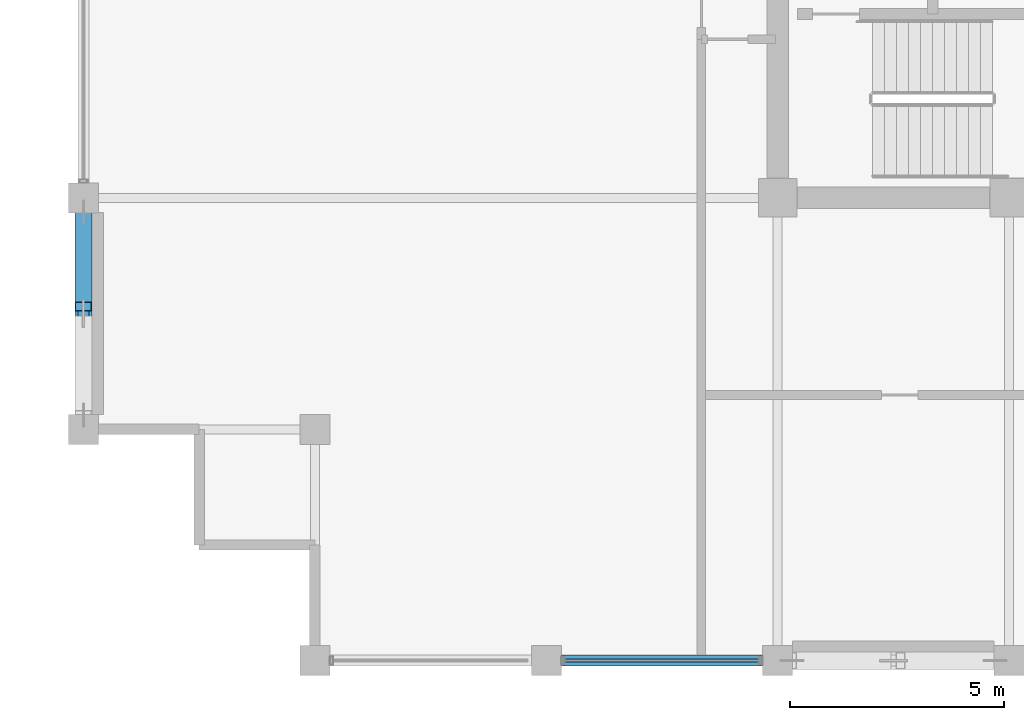
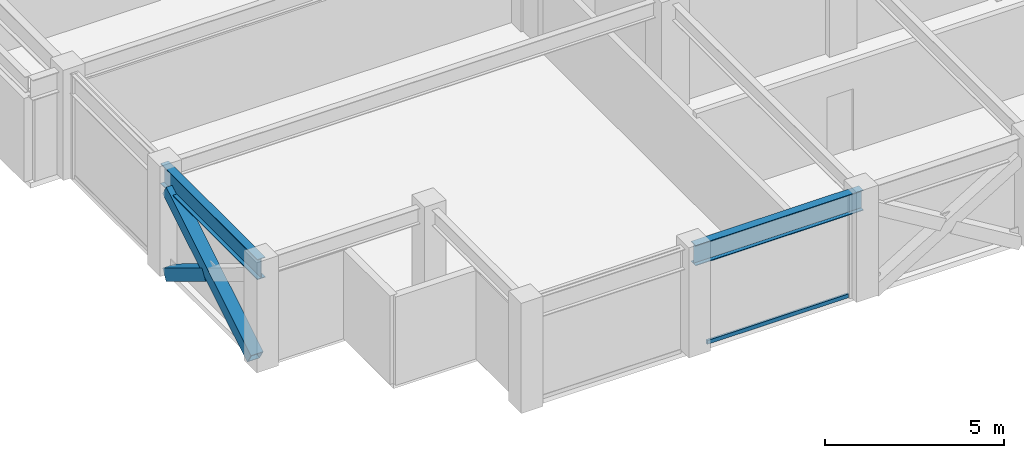
# One storey, part 3 of 29: 3 members, 2 beams, 1 element without a shape of its own.
"""IFC4 building model written with IfcOpenShell, lengths in metres."""

import ifcopenshell
import ifcopenshell.guid

model = None  # the IFC model being written
_history = None  # IfcOwnerHistory: only IFC2X3 demands one
_inside = {}  # id of a spatial element -> (the spatial element, [elements in it])
_under = {}  # id of a project, library or spatial element -> (it, [spatial elements below it])
_declared = {}  # id of a project -> (the project, [libraries it declares])
_typed = {}  # id of a type object -> (the type object, [elements of that type])
_made_of = {}  # id of a material, layer set ... -> (it, [elements and type objects made of it])


def new_model(schema):
    """Start an empty IFC model of exactly this schema.

    Asked for "IFC4X3", IfcOpenShell would pick the latest addendum, in which some entities
    have other attributes; the version numbers below select the first issue.
    IFC2X3 requires an IfcOwnerHistory on every rooted entity: one is made here for all.
    """
    global model, _history
    if schema == "IFC4X3":
        model = ifcopenshell.file(schema_version=(4, 3, 0, 0))
    else:
        model = ifcopenshell.file(schema=schema)
    _inside.clear()
    _under.clear()
    _declared.clear()
    _typed.clear()
    _made_of.clear()
    _history = None
    if model.schema == "IFC2X3":
        org = make("IfcOrganization", Name="unknown")
        user = make(
            "IfcPersonAndOrganization",
            ThePerson=make("IfcPerson", FamilyName="unknown"),
            TheOrganization=org,
        )
        app = make(
            "IfcApplication",
            ApplicationDeveloper=org,
            Version="unknown",
            ApplicationFullName="unknown",
            ApplicationIdentifier="unknown",
        )
        _history = make(
            "IfcOwnerHistory",
            OwningUser=user,
            OwningApplication=app,
            ChangeAction="ADDED",
            CreationDate=0,
        )
    return model


def make(cls, **values):
    """One entity of the class cls with the attributes given. An attribute that is None is left unset."""
    return model.create_entity(
        cls, **{name: value for name, value in values.items() if value is not None}
    )


def rooted(cls, **values):
    """An entity with a GlobalId (a new one), such as an element, a storey or a relation."""
    return make(cls, GlobalId=ifcopenshell.guid.new(), OwnerHistory=_history, **values)


def si_unit(unit_type, name, prefix=None):
    """IfcSIUnit, for example si_unit("LENGTHUNIT", "METRE", prefix="MILLI")."""
    return make("IfcSIUnit", UnitType=unit_type, Prefix=prefix, Name=name)


def assignment(units):
    """IfcUnitAssignment: the units of a project."""
    return None if units is None else make("IfcUnitAssignment", Units=units)


def point(xyz):
    """IfcCartesianPoint."""
    return None if xyz is None else make("IfcCartesianPoint", Coordinates=xyz)


def direction(xyz):
    """IfcDirection."""
    return None if xyz is None else make("IfcDirection", DirectionRatios=xyz)


def frame(location, z_axis=None, x_axis=None):
    """IfcAxis2Placement3D, a coordinate frame: its origin and axes. An axis left out is left unset."""
    return make(
        "IfcAxis2Placement3D",
        Location=point(location),
        Axis=direction(z_axis),
        RefDirection=direction(x_axis),
    )


def frame_2d(location, x_axis=None):
    """IfcAxis2Placement2D, a coordinate frame in the plane: its origin and x axis."""
    return make(
        "IfcAxis2Placement2D", Location=point(location), RefDirection=direction(x_axis)
    )


def origin():
    """The frame at (0, 0, 0) with its axes left unset."""
    return frame((0.0, 0.0, 0.0))


def origin_2d():
    """The frame at (0, 0) in the plane with its x axis left unset."""
    return frame_2d((0.0, 0.0))


def place(relative_to, where):
    """IfcLocalPlacement: puts the frame where relative to a parent placement (None: the world)."""
    return make(
        "IfcLocalPlacement", PlacementRelTo=relative_to, RelativePlacement=where
    )


def context(
    kind, dimensions, precision=None, world=None, true_north=None, identifier=None
):
    """IfcGeometricRepresentationContext, for example the 3D "Model" context."""
    return make(
        "IfcGeometricRepresentationContext",
        ContextIdentifier=identifier,
        ContextType=kind,
        CoordinateSpaceDimension=dimensions,
        Precision=precision,
        WorldCoordinateSystem=world,
        TrueNorth=true_north,
    )


def subcontext(parent, identifier, kind, view, scale=None):
    """IfcGeometricRepresentationSubContext, for example "Body" below "Model"."""
    return make(
        "IfcGeometricRepresentationSubContext",
        ContextIdentifier=identifier,
        ContextType=kind,
        ParentContext=parent,
        TargetScale=scale,
        TargetView=view,
    )


def project(units=None, contexts=None):
    """IfcProject with its units and contexts."""
    return rooted(
        "IfcProject",
        Name="project",
        RepresentationContexts=contexts,
        UnitsInContext=assignment(units),
    )


def spatial(cls, under=None, at=None, **own):
    """A site, building, storey or space (cls), placed at a placement, below another one or the project."""
    s = rooted(cls, ObjectPlacement=at, **own)
    if under is not None:
        _under.setdefault(under.id(), (under, []))[1].append(s)
    return s


def profile(cls, at=None, kind="AREA", **sizes):
    """A parametric profile (cls). Its sizes go by their IFC names, for example OverallWidth=200.0."""
    return make(cls, ProfileType=kind, Position=at, **sizes)


def hollow_rectangle(**sizes):
    """IfcRectangleHollowProfileDef."""
    return profile("IfcRectangleHollowProfileDef", **sizes)


def i_section(**sizes):
    """IfcIShapeProfileDef."""
    return profile("IfcIShapeProfileDef", **sizes)


def extrude(swept, where, along, depth):
    """IfcExtrudedAreaSolid: the profile swept, set in the frame where, extruded along a direction by depth."""
    return make(
        "IfcExtrudedAreaSolid",
        SweptArea=swept,
        Position=where,
        ExtrudedDirection=direction(along),
        Depth=depth,
    )


def shape(context_of_items, identifier, shape_type, items):
    """IfcShapeRepresentation: the items that make up one representation, for example the "Body"."""
    return make(
        "IfcShapeRepresentation",
        ContextOfItems=context_of_items,
        RepresentationIdentifier=identifier,
        RepresentationType=shape_type,
        Items=items,
    )


def material(Name=None, Category=None):
    """IfcMaterial."""
    return make("IfcMaterial", Name=Name, Category=Category)


def layer(
    of_material, thickness, ventilated=None, Name=None, Category=None, Priority=None
):
    """IfcMaterialLayer: one layer of a wall or slab, of a material (None: an air gap)."""
    return make(
        "IfcMaterialLayer",
        Material=of_material,
        LayerThickness=thickness,
        IsVentilated=ventilated,
        Name=Name,
        Category=Category,
        Priority=Priority,
    )


def layer_set(layers, Name=None):
    """IfcMaterialLayerSet."""
    return make("IfcMaterialLayerSet", MaterialLayers=layers, LayerSetName=Name)


def material_profile(
    of_material, cross_section, Name=None, Category=None, Priority=None
):
    """IfcMaterialProfile: a cross section and its material."""
    return make(
        "IfcMaterialProfile",
        Name=Name,
        Material=of_material,
        Profile=cross_section,
        Priority=Priority,
        Category=Category,
    )


def profile_set(profiles, Name=None, composite=None):
    """IfcMaterialProfileSet."""
    return make(
        "IfcMaterialProfileSet",
        Name=Name,
        MaterialProfiles=profiles,
        CompositeProfile=composite,
    )


def made_of(thing, what):
    """Note that an element or type object is made of a material, layer set ...; save() writes the relation."""
    if what is not None:
        _made_of.setdefault(what.id(), (what, []))[1].append(thing)
    return thing


def type_object(cls, material=None, **own):
    """A type object (cls), such as IfcWallType, which elements share."""
    return made_of(rooted(cls, **own), material)


def element(
    cls,
    number,
    at=None,
    inside=None,
    cuts=None,
    type_object=None,
    material=None,
    context=None,
    identifier="Body",
    shape_type=None,
    held_by="IfcProductDefinitionShape",
    body=None,
    shapes=None,
    **own,
):
    """One element of the class cls, such as IfcWall. Its Tag is "e" and its number.

    at: its placement. inside: the storey or other place that contains it. cuts: it is an
    opening in that element (IfcRelVoidsElement). A single representation is given by context,
    identifier, shape_type and body (its items); several are given by shapes. held_by: the class
    of the entity that holds the representations. save() writes the other relations.
    """
    e = rooted(cls, Tag="e%d" % number, ObjectPlacement=at, **own)
    if body is not None:
        shapes = [shape(context, identifier, shape_type, body)]
    if shapes is not None:
        e.Representation = make(held_by, Representations=shapes)
    if inside is not None:
        _inside.setdefault(inside.id(), (inside, []))[1].append(e)
    if cuts is not None:
        rooted(
            "IfcRelVoidsElement", RelatingBuildingElement=cuts, RelatedOpeningElement=e
        )
    if type_object is not None:
        _typed.setdefault(type_object.id(), (type_object, []))[1].append(e)
    return made_of(e, material)


def aggregate(whole, parts):
    """IfcRelAggregates: a whole, such as a stair, and the parts it consists of."""
    return rooted("IfcRelAggregates", RelatingObject=whole, RelatedObjects=parts)


def save(model, path):
    """Write the relations noted so far, then the file.

    IfcRelAggregates (storeys below a building ...), IfcRelContainedInSpatialStructure (elements
    in a storey), IfcRelDefinesByType, IfcRelAssociatesMaterial and IfcRelDeclares: one each for
    every whole, place, type object, material and project.
    """
    for whole, parts in _under.values():
        aggregate(whole, parts)
    for where, things in _inside.values():
        rooted(
            "IfcRelContainedInSpatialStructure",
            RelatedElements=things,
            RelatingStructure=where,
        )
    for kind, things in _typed.values():
        rooted("IfcRelDefinesByType", RelatedObjects=things, RelatingType=kind)
    for what, things in _made_of.values():
        rooted("IfcRelAssociatesMaterial", RelatedObjects=things, RelatingMaterial=what)
    for by, libraries in _declared.values():
        rooted("IfcRelDeclares", RelatingContext=by, RelatedDefinitions=libraries)
    model.write(path)


model = new_model("IFC4")

# Units and contexts
model_context = context("Model", 3, precision=1e-05, world=origin(), true_north=direction((0.0, 1.0)))
body_context = subcontext(model_context, "Body", "Model", "MODEL_VIEW")
ifc_project = project(units=[si_unit("LENGTHUNIT", "METRE"), si_unit("AREAUNIT", "SQUARE_METRE"), si_unit("VOLUMEUNIT", "CUBIC_METRE"), si_unit("PLANEANGLEUNIT", "RADIAN"), si_unit("MASSUNIT", "GRAM", prefix="KILO")], contexts=[model_context])

# Site, building, storey
site_placement = place(None, origin())
site = spatial("IfcSite", under=ifc_project, at=site_placement, CompositionType="ELEMENT")
building_placement = place(site_placement, origin())
building = spatial("IfcBuilding", under=site, at=building_placement, Name="Surkhivell Harbour Commons", CompositionType="ELEMENT")
storey_placement = place(building_placement, frame((0.0, 0.0, 273.75)))
storey = spatial("IfcBuildingStorey", under=building, at=storey_placement, Name="L71", CompositionType="ELEMENT", Elevation=273.75)

# Beams
ifc_material_1 = material(Name="Steel S355", Category="steel")
ifc_material_profile_1 = material_profile(ifc_material_1, i_section(OverallWidth=0.256103515625, OverallDepth=0.693115234375, WebThickness=0.014404296875, FlangeThickness=0.023681640625, at=origin_2d()), Name="UB686x254x170")
ifc_profile_set_1 = profile_set([ifc_material_profile_1], Name="Steel S355")
beam_type = type_object("IfcBeamType", Name="BM-SPN-686", PredefinedType="SPANDREL", material=ifc_profile_set_1)
for number, where, z_axis, x_axis, name in (
    (1, (-27.0, -16.199951171875, 3.223388671875), (0.0, 1.0, 0.0), (-1.0, 0.0, 0.0), "L71 Tube Spandrel (-27.0,-16.2)"),
    (2, (-16.199951171875, -21.60009765625, 3.223388671875), (1.0, 0.0, 0.0), (0.0, 1.0, 0.0), "L71 Tube Spandrel (-16.2,-21.6)"),
):
    element("IfcBeam", number, at=place(storey_placement, frame(where, z_axis=z_axis, x_axis=x_axis)), inside=storey, type_object=beam_type, Name=name, PredefinedType="SPANDREL", context=body_context, shape_type="SweptSolid", body=[
        extrude(i_section(OverallWidth=0.256103515625, OverallDepth=0.693115234375, WebThickness=0.014404296875, FlangeThickness=0.023681640625, at=origin_2d()), origin(), (0.0, 0.0, 1.0), 5.39990234375),
    ])

# Curtain wall, member
ifc_material_2 = material(Name="Anodised pale-metal aluminium and insulated glazing", Category="aluminium")
ifc_layer = layer(ifc_material_2, 0.175048828125)
ifc_layer_set = layer_set([ifc_layer], Name="Anodised pale-metal aluminium and insulated glazing")
curtain_wall_type = type_object("IfcCurtainWallType", Name="CW-SYS-Z4", PredefinedType="NOTDEFINED", material=ifc_layer_set)
curtain_wall_placement = place(storey_placement, origin())
curtain_wall = element("IfcCurtainWall", 3, at=curtain_wall_placement, inside=storey, type_object=curtain_wall_type, Name="L71 Curtain Wall CW-L71-E00S1", PredefinedType="NOTDEFINED")
ifc_material_3 = material(Name="Champagne anodised aluminium alloy 6063-T6", Category="aluminium")
ifc_material_profile_2 = material_profile(ifc_material_3, hollow_rectangle(XDim=0.070068359375, YDim=0.1298828125, WallThickness=0.00341796875, at=origin_2d()), Name="ALU-TRAN-70x130")
ifc_profile_set_2 = profile_set([ifc_material_profile_2], Name="Champagne anodised aluminium alloy 6063-T6")
member_type_1 = type_object("IfcMemberType", Name="CWT-130", PredefinedType="USERDEFINED", material=ifc_profile_set_2)
member_1_placement = place(storey_placement, frame((-15.77294921875, -21.60009765625, 0.06494140625), z_axis=(1.0, 0.0, 0.0), x_axis=(0.0, 1.0, 0.0)))
member_1 = element("IfcMember", 4, at=member_1_placement, type_object=member_type_1, Name="CW-Z4 transom 2.1", ObjectType="TRANSOM", PredefinedType="USERDEFINED", context=body_context, shape_type="SweptSolid", body=[
    extrude(hollow_rectangle(XDim=0.070068359375, YDim=0.1298828125, WallThickness=0.00341796875, at=origin_2d()), origin(), (0.0, 0.0, 1.0), 4.5458984375),
])
aggregate(curtain_wall, [member_1])

# Members
ifc_material_4 = material(Name="Steel S460", Category="steel")
ifc_material_profile_3 = material_profile(ifc_material_4, hollow_rectangle(XDim=0.39990234375, YDim=0.39990234375, WallThickness=0.02001953125, at=origin_2d()), Name="SHS400x400x20")
ifc_profile_set_3 = profile_set([ifc_material_profile_3], Name="Steel S460")
member_type_2 = type_object("IfcMemberType", Name="MEM-BRC-SHS400", PredefinedType="BRACE", material=ifc_profile_set_3)
member_2_placement = place(storey_placement, frame((-27.0, -15.864990234375, 0.008056640625), z_axis=(0.0, 0.854685454322, 0.519146197299), x_axis=(-1.0, 0.0, 0.0)))
element("IfcMember", 5, at=member_2_placement, inside=storey, type_object=member_type_2, Name="L71 Perimeter Mega-Brace MB- 10", PredefinedType="BRACE", context=body_context, shape_type="SweptSolid", body=[
    extrude(hollow_rectangle(XDim=0.39990234375, YDim=0.39990234375, WallThickness=0.02001953125, at=origin_2d()), origin(), (0.0, 0.0, 1.0), 5.5341796875),
])
member_3_placement = place(storey_placement, frame((-27.0, -11.135009765625, 0.008056640625), z_axis=(0.0, -0.854719912157, 0.519089464122), x_axis=(1.0, 0.0, 0.0)))
element("IfcMember", 6, at=member_3_placement, inside=storey, type_object=member_type_2, Name="L71 Perimeter Mega-Brace MB- 11", PredefinedType="BRACE", context=body_context, shape_type="SweptSolid", body=[
    extrude(hollow_rectangle(XDim=0.39990234375, YDim=0.39990234375, WallThickness=0.02001953125, at=origin_2d()), origin(), (0.0, 0.0, 1.0), 2.574951171875),
])

save(model, "model.ifc")
